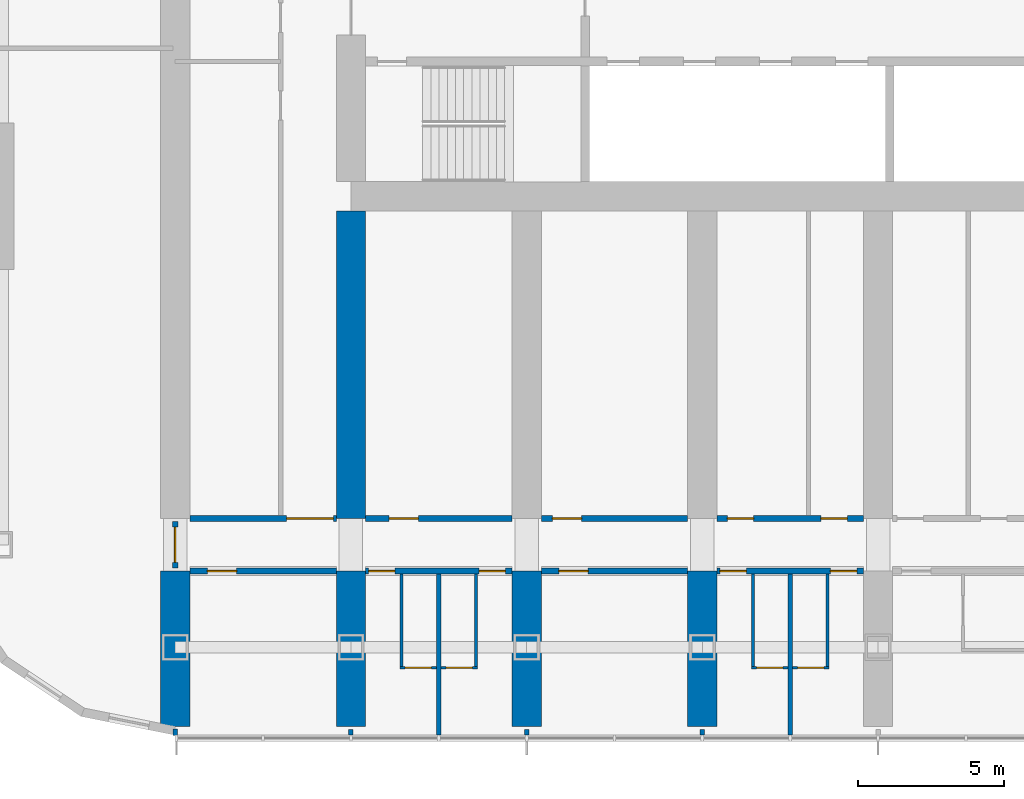
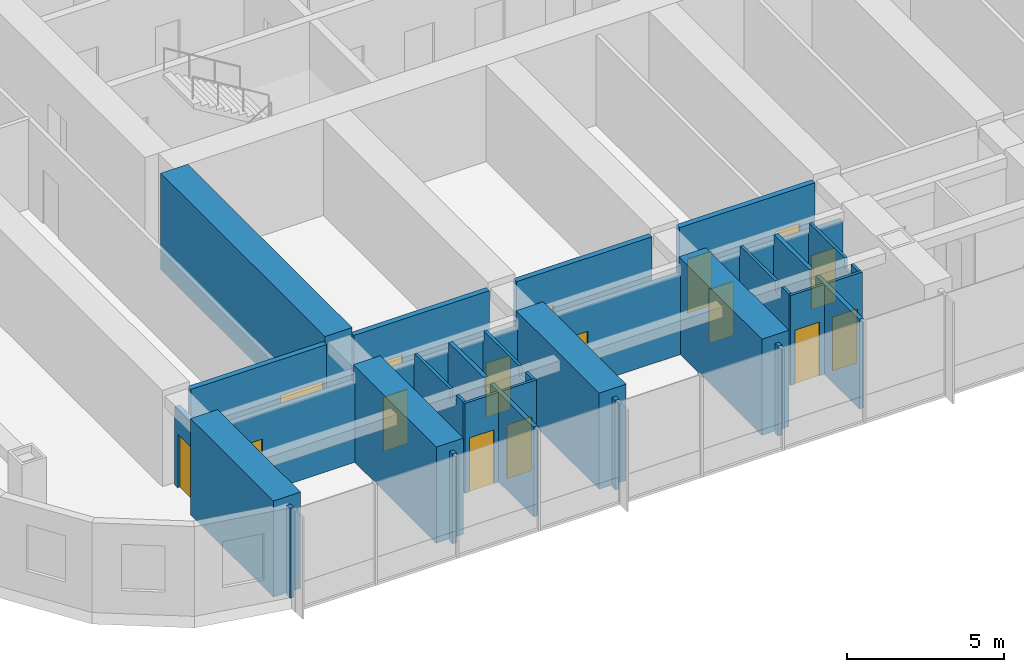
# One storey, part 12 of 26: 28 walls, 16 doors, 16 openings.
"""IFC4 building model written with IfcOpenShell, lengths in metres."""

from ifc_helpers import new_model, si_unit, direction, frame, frame_2d, origin, place, context, subcontext, project, spatial, polyline, rectangle, outline, extrude, material, layer, layer_set, type_object, element, fill, save


model = new_model("IFC4")

# Units and contexts
model_context = context("Model", 3, precision=1e-05, world=origin(), true_north=direction((0.0, 1.0)))
body_context = subcontext(model_context, "Body", "Model", "MODEL_VIEW")
ifc_project = project(units=[si_unit("LENGTHUNIT", "METRE"), si_unit("AREAUNIT", "SQUARE_METRE"), si_unit("VOLUMEUNIT", "CUBIC_METRE"), si_unit("PLANEANGLEUNIT", "RADIAN"), si_unit("MASSUNIT", "GRAM", prefix="KILO")], contexts=[model_context])

# Site, building, storey
site_placement = place(None, origin())
site = spatial("IfcSite", under=ifc_project, at=site_placement, CompositionType="ELEMENT")
building_placement = place(site_placement, origin())
building = spatial("IfcBuilding", under=site, at=building_placement, Name="Orbita Commons", CompositionType="ELEMENT")
storey_placement = place(building_placement, frame((0.0, 0.0, 53.949951171875)))
storey = spatial("IfcBuildingStorey", under=building, at=storey_placement, Name="L13", CompositionType="ELEMENT", Elevation=53.949951171875)

# Wall, opening, door
ifc_material_1 = material(Name="Concrete blockwork", Category="masonry")
ifc_layer_1 = layer(ifc_material_1, 0.199951171875)
ifc_layer_set_1 = layer_set([ifc_layer_1], Name="Concrete blockwork")
wall_type_1 = type_object("IfcWallType", Name="Corridor wall 200 blockwork", PredefinedType="SOLIDWALL", material=ifc_layer_set_1)
wall_1_placement = place(storey_placement, frame((12.5, 13.0, 0.0), z_axis=(0.0, 0.0, 1.0), x_axis=(1.0, 0.0, 0.0)))
wall_1 = element("IfcWall", 1, at=wall_1_placement, inside=storey, type_object=wall_type_1, Name="Corridor wall 200 blockwork L13", PredefinedType="SOLIDWALL", context=body_context, shape_type="SweptSolid", body=[
    extrude(outline(polyline([(0.0, 0.0), (5.0, 0.0), (5.0, 3.10009765625), (0.0, 3.10009765625), (0.0, 0.0)])), frame((0.0, 0.10009765625, 0.0), z_axis=(0.0, -1.0, 0.0), x_axis=(1.0, 0.0, 0.0)), (0.0, 0.0, 1.0), 0.199951171875),
])
opening_1_placement = place(wall_1_placement, frame((0.60009765625, 0.0, 0.0)))
opening_1 = element("IfcOpeningElement", 2, at=opening_1_placement, cuts=wall_1, Name="Opening D06", PredefinedType="OPENING", context=body_context, shape_type="SweptSolid", body=[
    extrude(rectangle(XDim=1.0, YDim=2.10009765625, at=frame_2d((0.5, 1.050048828125))), frame((0.0, 0.10986328125, 0.0), z_axis=(0.0, -1.0, 0.0), x_axis=(1.0, 0.0, 0.0)), (0.0, 0.0, 1.0), 0.219970703125),
])
ifc_material_2 = material(Name="Steel-faced fire door leaf", Category="steel")
door_type_1 = type_object("IfcDoorType", Name="Corridor door 20 min 1000x2100", OperationType="SINGLE_SWING_LEFT", PredefinedType="DOOR", material=ifc_material_2)
door_1_placement = place(opening_1_placement, origin())
door_1 = element("IfcDoor", 3, at=door_1_placement, inside=storey, type_object=door_type_1, Name="House common room L13-S00 door", OperationType="SINGLE_SWING_LEFT", OverallHeight=2.10009765625, OverallWidth=1.0, PredefinedType="DOOR", context=body_context, shape_type="SweptSolid", body=[
    extrude(rectangle(XDim=1.0, YDim=2.10009765625, at=frame_2d((0.5, 1.050048828125))), frame((0.0, 0.02490234375, 0.0), z_axis=(0.0, -1.0, 0.0), x_axis=(1.0, 0.0, 0.0)), (0.0, 0.0, 1.0), 0.050048828125),
])
fill(opening_1, door_1)

# Wall, openings, doors
wall_2_placement = place(storey_placement, frame((18.5, 13.0, 0.0), z_axis=(0.0, 0.0, 1.0), x_axis=(1.0, 0.0, 0.0)))
wall_2 = element("IfcWall", 4, at=wall_2_placement, inside=storey, type_object=wall_type_1, Name="Corridor wall 200 blockwork L13", PredefinedType="SOLIDWALL", context=body_context, shape_type="SweptSolid", body=[
    extrude(outline(polyline([(0.0, 0.0), (5.0, 0.0), (5.0, 3.10009765625), (0.0, 3.10009765625), (0.0, 0.0)])), frame((0.0, 0.10009765625, 0.0), z_axis=(0.0, -1.0, 0.0), x_axis=(1.0, 0.0, 0.0)), (0.0, 0.0, 1.0), 0.199951171875),
])
opening_2_placement = place(wall_2_placement, frame((0.10009765625, 0.0, 0.0)))
opening_2 = element("IfcOpeningElement", 5, at=opening_2_placement, cuts=wall_2, Name="Opening D11", PredefinedType="OPENING", context=body_context, shape_type="SweptSolid", body=[
    extrude(rectangle(XDim=0.89990234375, YDim=2.10009765625, at=frame_2d((0.449951171875, 1.050048828125))), frame((0.0, 0.10986328125, 0.0), z_axis=(0.0, -1.0, 0.0), x_axis=(1.0, 0.0, 0.0)), (0.0, 0.0, 1.0), 0.219970703125),
])
opening_3_placement = place(wall_2_placement, frame((3.875, 0.0, 0.0)))
opening_3 = element("IfcOpeningElement", 6, at=opening_3_placement, cuts=wall_2, Name="Opening D11", PredefinedType="OPENING", context=body_context, shape_type="SweptSolid", body=[
    extrude(rectangle(XDim=0.89990234375, YDim=2.10009765625, at=frame_2d((0.449951171875, 1.050048828125))), frame((0.0, 0.10986328125, 0.0), z_axis=(0.0, -1.0, 0.0), x_axis=(1.0, 0.0, 0.0)), (0.0, 0.0, 1.0), 0.219970703125),
])
ifc_material_3 = material(Name="Steel-faced fire door leaf", Category="steel")
door_type_2 = type_object("IfcDoorType", Name="Corridor door 20 min 900x2100", OperationType="SINGLE_SWING_LEFT", PredefinedType="DOOR", material=ifc_material_3)
door_2_placement = place(opening_2_placement, origin())
door_2 = element("IfcDoor", 7, at=door_2_placement, inside=storey, type_object=door_type_2, Name="House bedroom L13-S02 door", OperationType="SINGLE_SWING_LEFT", OverallHeight=2.10009765625, OverallWidth=0.89990234375, PredefinedType="DOOR", context=body_context, shape_type="SweptSolid", body=[
    extrude(rectangle(XDim=0.89990234375, YDim=2.10009765625, at=frame_2d((0.449951171875, 1.050048828125))), frame((0.0, 0.02490234375, 0.0), z_axis=(0.0, -1.0, 0.0), x_axis=(1.0, 0.0, 0.0)), (0.0, 0.0, 1.0), 0.050048828125),
])
fill(opening_2, door_2)
door_3_placement = place(opening_3_placement, origin())
door_3 = element("IfcDoor", 8, at=door_3_placement, inside=storey, type_object=door_type_2, Name="House bedroom L13-S03 door", OperationType="SINGLE_SWING_LEFT", OverallHeight=2.10009765625, OverallWidth=0.89990234375, PredefinedType="DOOR", context=body_context, shape_type="SweptSolid", body=[
    extrude(rectangle(XDim=0.89990234375, YDim=2.10009765625, at=frame_2d((0.449951171875, 1.050048828125))), frame((0.0, 0.02490234375, 0.0), z_axis=(0.0, -1.0, 0.0), x_axis=(1.0, 0.0, 0.0)), (0.0, 0.0, 1.0), 0.050048828125),
])
fill(opening_3, door_3)

# Wall, opening, door
wall_3_placement = place(storey_placement, frame((24.5, 13.0, 0.0), z_axis=(0.0, 0.0, 1.0), x_axis=(1.0, 0.0, 0.0)))
wall_3 = element("IfcWall", 9, at=wall_3_placement, inside=storey, type_object=wall_type_1, Name="Corridor wall 200 blockwork L13", PredefinedType="SOLIDWALL", context=body_context, shape_type="SweptSolid", body=[
    extrude(outline(polyline([(0.0, 0.0), (5.0, 0.0), (5.0, 3.10009765625), (0.0, 3.10009765625), (0.0, 0.0)])), frame((0.0, 0.10009765625, 0.0), z_axis=(0.0, -1.0, 0.0), x_axis=(1.0, 0.0, 0.0)), (0.0, 0.0, 1.0), 0.199951171875),
])
opening_4_placement = place(wall_3_placement, frame((0.60009765625, 0.0, 0.0)))
opening_4 = element("IfcOpeningElement", 10, at=opening_4_placement, cuts=wall_3, Name="Opening D06", PredefinedType="OPENING", context=body_context, shape_type="SweptSolid", body=[
    extrude(rectangle(XDim=1.0, YDim=2.10009765625, at=frame_2d((0.5, 1.050048828125))), frame((0.0, 0.10986328125, 0.0), z_axis=(0.0, -1.0, 0.0), x_axis=(1.0, 0.0, 0.0)), (0.0, 0.0, 1.0), 0.219970703125),
])
door_4_placement = place(opening_4_placement, origin())
door_4 = element("IfcDoor", 11, at=door_4_placement, inside=storey, type_object=door_type_1, Name="House common room L13-S04 door", OperationType="SINGLE_SWING_LEFT", OverallHeight=2.10009765625, OverallWidth=1.0, PredefinedType="DOOR", context=body_context, shape_type="SweptSolid", body=[
    extrude(rectangle(XDim=1.0, YDim=2.10009765625, at=frame_2d((0.5, 1.050048828125))), frame((0.0, 0.02490234375, 0.0), z_axis=(0.0, -1.0, 0.0), x_axis=(1.0, 0.0, 0.0)), (0.0, 0.0, 1.0), 0.050048828125),
])
fill(opening_4, door_4)

# Wall, openings, doors
wall_4_placement = place(storey_placement, frame((30.5, 13.0, 0.0), z_axis=(0.0, 0.0, 1.0), x_axis=(1.0, 0.0, 0.0)))
wall_4 = element("IfcWall", 12, at=wall_4_placement, inside=storey, type_object=wall_type_1, Name="Corridor wall 200 blockwork L13", PredefinedType="SOLIDWALL", context=body_context, shape_type="SweptSolid", body=[
    extrude(outline(polyline([(0.0, 0.0), (5.0, 0.0), (5.0, 3.10009765625), (0.0, 3.10009765625), (0.0, 0.0)])), frame((0.0, 0.10009765625, 0.0), z_axis=(0.0, -1.0, 0.0), x_axis=(1.0, 0.0, 0.0)), (0.0, 0.0, 1.0), 0.199951171875),
])
opening_5_placement = place(wall_4_placement, frame((0.10009765625, 0.0, 0.0)))
opening_5 = element("IfcOpeningElement", 13, at=opening_5_placement, cuts=wall_4, Name="Opening D11", PredefinedType="OPENING", context=body_context, shape_type="SweptSolid", body=[
    extrude(rectangle(XDim=0.89990234375, YDim=2.10009765625, at=frame_2d((0.449951171875, 1.050048828125))), frame((0.0, 0.10986328125, 0.0), z_axis=(0.0, -1.0, 0.0), x_axis=(1.0, 0.0, 0.0)), (0.0, 0.0, 1.0), 0.219970703125),
])
opening_6_placement = place(wall_4_placement, frame((3.875, 0.0, 0.0)))
opening_6 = element("IfcOpeningElement", 14, at=opening_6_placement, cuts=wall_4, Name="Opening D11", PredefinedType="OPENING", context=body_context, shape_type="SweptSolid", body=[
    extrude(rectangle(XDim=0.89990234375, YDim=2.10009765625, at=frame_2d((0.449951171875, 1.050048828125))), frame((0.0, 0.10986328125, 0.0), z_axis=(0.0, -1.0, 0.0), x_axis=(1.0, 0.0, 0.0)), (0.0, 0.0, 1.0), 0.219970703125),
])
door_5_placement = place(opening_5_placement, origin())
door_5 = element("IfcDoor", 15, at=door_5_placement, inside=storey, type_object=door_type_2, Name="House bedroom L13-S06 door", OperationType="SINGLE_SWING_LEFT", OverallHeight=2.10009765625, OverallWidth=0.89990234375, PredefinedType="DOOR", context=body_context, shape_type="SweptSolid", body=[
    extrude(rectangle(XDim=0.89990234375, YDim=2.10009765625, at=frame_2d((0.449951171875, 1.050048828125))), frame((0.0, 0.02490234375, 0.0), z_axis=(0.0, -1.0, 0.0), x_axis=(1.0, 0.0, 0.0)), (0.0, 0.0, 1.0), 0.050048828125),
])
fill(opening_5, door_5)
door_6_placement = place(opening_6_placement, origin())
door_6 = element("IfcDoor", 16, at=door_6_placement, inside=storey, type_object=door_type_2, Name="House bedroom L13-S07 door", OperationType="SINGLE_SWING_LEFT", OverallHeight=2.10009765625, OverallWidth=0.89990234375, PredefinedType="DOOR", context=body_context, shape_type="SweptSolid", body=[
    extrude(rectangle(XDim=0.89990234375, YDim=2.10009765625, at=frame_2d((0.449951171875, 1.050048828125))), frame((0.0, 0.02490234375, 0.0), z_axis=(0.0, -1.0, 0.0), x_axis=(1.0, 0.0, 0.0)), (0.0, 0.0, 1.0), 0.050048828125),
])
fill(opening_6, door_6)

# Wall, opening, door
wall_5_placement = place(storey_placement, frame((12.0, 13.10009765625, 0.0), z_axis=(0.0, 0.0, 1.0), x_axis=(0.0, 1.0, 0.0)))
wall_5 = element("IfcWall", 17, at=wall_5_placement, inside=storey, type_object=wall_type_1, Name="Corridor wall 200 blockwork L13", PredefinedType="SOLIDWALL", context=body_context, shape_type="SweptSolid", body=[
    extrude(outline(polyline([(0.0, 0.0), (1.599853515625, 0.0), (1.60009765625, 3.050048828125), (0.0, 3.050048828125), (0.0, 0.0)])), frame((0.0, 0.10009765625, 0.0), z_axis=(0.0, -1.0, 0.0), x_axis=(1.0, 0.0, 0.0)), (0.0, 0.0, 1.0), 0.199951171875),
])
opening_7_placement = place(wall_5_placement, frame((0.199951171875, 0.0, 0.0)))
opening_7 = element("IfcOpeningElement", 18, at=opening_7_placement, cuts=wall_5, Name="Opening D12", PredefinedType="OPENING", context=body_context, shape_type="SweptSolid", body=[
    extrude(rectangle(XDim=1.199951171875, YDim=2.10009765625, at=frame_2d((0.60009765625, 1.050048828125))), frame((0.0, 0.10986328125, 0.0), z_axis=(0.0, -1.0, 0.0), x_axis=(1.0, 0.0, 0.0)), (0.0, 0.0, 1.0), 0.219970703125),
])
ifc_material_4 = material(Name="Steel-faced fire door leaf", Category="steel")
door_type_3 = type_object("IfcDoorType", Name="Double corridor door 20 min 1200x2100", OperationType="DOUBLE_DOOR_SINGLE_SWING", PredefinedType="DOOR", material=ifc_material_4)
door_7_placement = place(opening_7_placement, origin())
door_7 = element("IfcDoor", 19, at=door_7_placement, inside=storey, type_object=door_type_3, Name="Lounge doors", OperationType="DOUBLE_DOOR_SINGLE_SWING", OverallHeight=2.10009765625, OverallWidth=1.199951171875, PredefinedType="DOOR", context=body_context, shape_type="SweptSolid", body=[
    extrude(rectangle(XDim=1.199951171875, YDim=2.10009765625, at=frame_2d((0.60009765625, 1.050048828125))), frame((0.0, 0.02490234375, 0.0), z_axis=(0.0, -1.0, 0.0), x_axis=(1.0, 0.0, 0.0)), (0.0, 0.0, 1.0), 0.050048828125),
])
fill(opening_7, door_7)

ifc_material_5 = material(Name="Hollow concrete block 200", Category="concrete")
ifc_layer_2 = layer(ifc_material_5, 0.199951171875)
ifc_layer_set_2 = layer_set([ifc_layer_2], Name="Hollow concrete block 200")
wall_type_2 = type_object("IfcWallType", Name="Corridor wall 200 hollow concrete block", PredefinedType="SOLIDWALL", material=ifc_layer_set_2)
wall_6_placement = place(storey_placement, frame((12.5, 14.800048828125, 0.0), z_axis=(0.0, 0.0, 1.0), x_axis=(1.0, 0.0, 0.0)))
wall_6 = element("IfcWall", 20, at=wall_6_placement, inside=storey, type_object=wall_type_2, Name="Corridor wall 200 hollow concrete block L13", PredefinedType="SOLIDWALL", context=body_context, shape_type="SweptSolid", body=[
    extrude(rectangle(XDim=5.0, YDim=0.199951171875, at=frame_2d((2.5, 0.0))), origin(), (0.0, 0.0, 1.0), 3.5),
])
opening_8_placement = place(wall_6_placement, frame((3.300048828125, 0.0, 0.0)))
opening_8 = element("IfcOpeningElement", 21, at=opening_8_placement, cuts=wall_6, Name="Opening D10", PredefinedType="OPENING", context=body_context, shape_type="SweptSolid", body=[
    extrude(rectangle(XDim=1.60009765625, YDim=2.10009765625, at=frame_2d((0.800048828125, 1.050048828125))), frame((0.0, 0.10986328125, 0.0), z_axis=(0.0, -1.0, 0.0), x_axis=(1.0, 0.0, 0.0)), (0.0, 0.0, 1.0), 0.219970703125),
])
ifc_material_6 = material(Name="Steel-faced fire door leaf", Category="steel")
door_type_4 = type_object("IfcDoorType", Name="Double corridor door 20 min 1600x2100", OperationType="DOUBLE_DOOR_SINGLE_SWING", PredefinedType="DOOR", material=ifc_material_6)
door_8_placement = place(opening_8_placement, origin())
door_8 = element("IfcDoor", 22, at=door_8_placement, inside=storey, type_object=door_type_4, Name="Cross corridor doors", OperationType="DOUBLE_DOOR_SINGLE_SWING", OverallHeight=2.10009765625, OverallWidth=1.60009765625, PredefinedType="DOOR", context=body_context, shape_type="SweptSolid", body=[
    extrude(rectangle(XDim=1.60009765625, YDim=2.10009765625, at=frame_2d((0.800048828125, 1.050048828125))), frame((0.0, 0.02490234375, 0.0), z_axis=(0.0, -1.0, 0.0), x_axis=(1.0, 0.0, 0.0)), (0.0, 0.0, 1.0), 0.050048828125),
])
fill(opening_8, door_8)

wall_7_placement = place(storey_placement, frame((18.5, 14.800048828125, 0.0), z_axis=(0.0, 0.0, 1.0), x_axis=(1.0, 0.0, 0.0)))
wall_7 = element("IfcWall", 23, at=wall_7_placement, inside=storey, type_object=wall_type_2, Name="Corridor wall 200 hollow concrete block L13", PredefinedType="SOLIDWALL", context=body_context, shape_type="SweptSolid", body=[
    extrude(rectangle(XDim=5.0, YDim=0.199951171875, at=frame_2d((2.5, 0.0))), origin(), (0.0, 0.0, 1.0), 3.5),
])
opening_9_placement = place(wall_7_placement, frame((0.800048828125, 0.0, 0.0)))
opening_9 = element("IfcOpeningElement", 24, at=opening_9_placement, cuts=wall_7, Name="Opening D06", PredefinedType="OPENING", context=body_context, shape_type="SweptSolid", body=[
    extrude(rectangle(XDim=1.0, YDim=2.10009765625, at=frame_2d((0.5, 1.050048828125))), frame((0.0, 0.10986328125, 0.0), z_axis=(0.0, -1.0, 0.0), x_axis=(1.0, 0.0, 0.0)), (0.0, 0.0, 1.0), 0.219970703125),
])
door_9_placement = place(opening_9_placement, origin())
door_9 = element("IfcDoor", 25, at=door_9_placement, inside=storey, type_object=door_type_1, Name="Drying room L13-BDS18 door", OperationType="SINGLE_SWING_LEFT", OverallHeight=2.10009765625, OverallWidth=1.0, PredefinedType="DOOR", context=body_context, shape_type="SweptSolid", body=[
    extrude(rectangle(XDim=1.0, YDim=2.10009765625, at=frame_2d((0.5, 1.050048828125))), frame((0.0, 0.02490234375, 0.0), z_axis=(0.0, -1.0, 0.0), x_axis=(1.0, 0.0, 0.0)), (0.0, 0.0, 1.0), 0.050048828125),
])
fill(opening_9, door_9)

wall_8_placement = place(storey_placement, frame((24.5, 14.800048828125, 0.0), z_axis=(0.0, 0.0, 1.0), x_axis=(1.0, 0.0, 0.0)))
wall_8 = element("IfcWall", 26, at=wall_8_placement, inside=storey, type_object=wall_type_2, Name="Corridor wall 200 hollow concrete block L13", PredefinedType="SOLIDWALL", context=body_context, shape_type="SweptSolid", body=[
    extrude(rectangle(XDim=5.0, YDim=0.199951171875, at=frame_2d((2.5, 0.0))), origin(), (0.0, 0.0, 1.0), 3.5),
])
opening_10_placement = place(wall_8_placement, frame((0.375, 0.0, 0.0)))
opening_10 = element("IfcOpeningElement", 27, at=opening_10_placement, cuts=wall_8, Name="Opening D06", PredefinedType="OPENING", context=body_context, shape_type="SweptSolid", body=[
    extrude(rectangle(XDim=1.0, YDim=2.10009765625, at=frame_2d((0.5, 1.050048828125))), frame((0.0, 0.10986328125, 0.0), z_axis=(0.0, -1.0, 0.0), x_axis=(1.0, 0.0, 0.0)), (0.0, 0.0, 1.0), 0.219970703125),
])
door_10_placement = place(opening_10_placement, origin())
door_10 = element("IfcDoor", 28, at=door_10_placement, inside=storey, type_object=door_type_1, Name="Linen store L13-BDS24 door", OperationType="SINGLE_SWING_LEFT", OverallHeight=2.10009765625, OverallWidth=1.0, PredefinedType="DOOR", context=body_context, shape_type="SweptSolid", body=[
    extrude(rectangle(XDim=1.0, YDim=2.10009765625, at=frame_2d((0.5, 1.050048828125))), frame((0.0, 0.02490234375, 0.0), z_axis=(0.0, -1.0, 0.0), x_axis=(1.0, 0.0, 0.0)), (0.0, 0.0, 1.0), 0.050048828125),
])
fill(opening_10, door_10)

# Wall, openings, doors
wall_9_placement = place(storey_placement, frame((30.5, 14.800048828125, 0.0), z_axis=(0.0, 0.0, 1.0), x_axis=(1.0, 0.0, 0.0)))
wall_9 = element("IfcWall", 29, at=wall_9_placement, inside=storey, type_object=wall_type_2, Name="Corridor wall 200 hollow concrete block L13", PredefinedType="SOLIDWALL", context=body_context, shape_type="SweptSolid", body=[
    extrude(rectangle(XDim=5.0, YDim=0.199951171875, at=frame_2d((2.5, 0.0))), origin(), (0.0, 0.0, 1.0), 3.5),
])
opening_11_placement = place(wall_9_placement, frame((0.35009765625, 0.0, 0.0)))
opening_11 = element("IfcOpeningElement", 30, at=opening_11_placement, cuts=wall_9, Name="Opening D11", PredefinedType="OPENING", context=body_context, shape_type="SweptSolid", body=[
    extrude(rectangle(XDim=0.89990234375, YDim=2.10009765625, at=frame_2d((0.449951171875, 1.050048828125))), frame((0.0, 0.10986328125, 0.0), z_axis=(0.0, -1.0, 0.0), x_axis=(1.0, 0.0, 0.0)), (0.0, 0.0, 1.0), 0.219970703125),
])
opening_12_placement = place(wall_9_placement, frame((3.550048828125, 0.0, 0.0)))
opening_12 = element("IfcOpeningElement", 31, at=opening_12_placement, cuts=wall_9, Name="Opening D11", PredefinedType="OPENING", context=body_context, shape_type="SweptSolid", body=[
    extrude(rectangle(XDim=0.89990234375, YDim=2.10009765625, at=frame_2d((0.449951171875, 1.050048828125))), frame((0.0, 0.10986328125, 0.0), z_axis=(0.0, -1.0, 0.0), x_axis=(1.0, 0.0, 0.0)), (0.0, 0.0, 1.0), 0.219970703125),
])
door_11_placement = place(opening_11_placement, origin())
door_11 = element("IfcDoor", 32, at=door_11_placement, inside=storey, type_object=door_type_2, Name="Recording room L13-BDS30 door", OperationType="SINGLE_SWING_LEFT", OverallHeight=2.10009765625, OverallWidth=0.89990234375, PredefinedType="DOOR", context=body_context, shape_type="SweptSolid", body=[
    extrude(rectangle(XDim=0.89990234375, YDim=2.10009765625, at=frame_2d((0.449951171875, 1.050048828125))), frame((0.0, 0.02490234375, 0.0), z_axis=(0.0, -1.0, 0.0), x_axis=(1.0, 0.0, 0.0)), (0.0, 0.0, 1.0), 0.050048828125),
])
fill(opening_11, door_11)
door_12_placement = place(opening_12_placement, origin())
door_12 = element("IfcDoor", 33, at=door_12_placement, inside=storey, type_object=door_type_2, Name="Accessible WC and shower room L13-BDS30n door", OperationType="SINGLE_SWING_LEFT", OverallHeight=2.10009765625, OverallWidth=0.89990234375, PredefinedType="DOOR", context=body_context, shape_type="SweptSolid", body=[
    extrude(rectangle(XDim=0.89990234375, YDim=2.10009765625, at=frame_2d((0.449951171875, 1.050048828125))), frame((0.0, 0.02490234375, 0.0), z_axis=(0.0, -1.0, 0.0), x_axis=(1.0, 0.0, 0.0)), (0.0, 0.0, 1.0), 0.050048828125),
])
fill(opening_12, door_12)

# Walls
ifc_material_7 = material(Name="Concrete C50/60", Category="concrete")
ifc_layer_3 = layer(ifc_material_7, 1.0)
ifc_layer_set_3 = layer_set([ifc_layer_3], Name="Concrete C50/60")
wall_type_3 = type_object("IfcWallType", Name="Cross wall 1000 C50/60", PredefinedType="SHEAR", material=ifc_layer_set_3)
for number, where, z_axis, x_axis, name in (
    (34, (12.0, 7.699951171875, 0.0), (0.0, 0.0, 1.0), (0.0, 1.0, 0.0), "Cross wall 3 south outer L13"),
    (35, (18.0, 7.699951171875, 0.0), (0.0, 0.0, 1.0), (0.0, 1.0, 0.0), "Cross wall 4 south outer L13"),
):
    element("IfcWall", number, at=place(storey_placement, frame(where, z_axis=z_axis, x_axis=x_axis)), inside=storey, type_object=wall_type_3, Name=name, PredefinedType="SHEAR", context=body_context, shape_type="SweptSolid", body=[
        extrude(rectangle(XDim=5.300048828125, YDim=1.0, at=frame_2d((2.64990234375, 0.0))), origin(), (0.0, 0.0, 1.0), 3.75),
    ])
wall_10_placement = place(storey_placement, frame((18.0, 14.800048828125, 0.0), z_axis=(0.0, 0.0, 1.0), x_axis=(0.0, 1.0, 0.0)))
element("IfcWall", 36, at=wall_10_placement, inside=storey, type_object=wall_type_3, Name="Cross wall 4 south inner L13", PredefinedType="SHEAR", context=body_context, shape_type="SweptSolid", body=[
    extrude(rectangle(XDim=10.5, YDim=1.0, at=frame_2d((5.25, 0.0))), origin(), (0.0, 0.0, 1.0), 3.75),
])
for number, where, z_axis, x_axis, name in (
    (37, (24.0, 7.699951171875, 0.0), (0.0, 0.0, 1.0), (0.0, 1.0, 0.0), "Cross wall 5 south outer L13"),
    (38, (30.0, 7.699951171875, 0.0), (0.0, 0.0, 1.0), (0.0, 1.0, 0.0), "Cross wall 6 south outer L13"),
):
    element("IfcWall", number, at=place(storey_placement, frame(where, z_axis=z_axis, x_axis=x_axis)), inside=storey, type_object=wall_type_3, Name=name, PredefinedType="SHEAR", context=body_context, shape_type="SweptSolid", body=[
        extrude(rectangle(XDim=5.300048828125, YDim=1.0, at=frame_2d((2.64990234375, 0.0))), origin(), (0.0, 0.0, 1.0), 3.75),
    ])

# Wall, opening, door
ifc_material_8 = material(Name="Moisture-resistant plasterboard on steel studs", Category="steel")
ifc_layer_4 = layer(ifc_material_8, 0.10009765625)
ifc_layer_set_4 = layer_set([ifc_layer_4], Name="Moisture-resistant plasterboard on steel studs")
wall_type_4 = type_object("IfcWallType", Name="En-suite partition 100", PredefinedType="PARTITIONING", material=ifc_layer_set_4)
wall_11_placement = place(storey_placement, frame((20.925048828125, 9.699951171875, 0.0), z_axis=(0.0, 0.0, 1.0), x_axis=(-1.0, 0.0, 0.0)))
wall_11 = element("IfcWall", 39, at=wall_11_placement, inside=storey, type_object=wall_type_4, Name="En-suite partition 100 L13", PredefinedType="PARTITIONING", context=body_context, shape_type="SweptSolid", body=[
    extrude(rectangle(XDim=1.25, YDim=0.10009765625, at=frame_2d((0.625, 0.0))), origin(), (0.0, 0.0, 1.0), 3.5),
])
opening_13_placement = place(wall_11_placement, frame((0.175048828125, 0.0, 0.0)))
opening_13 = element("IfcOpeningElement", 40, at=opening_13_placement, cuts=wall_11, Name="Opening D09", PredefinedType="OPENING", context=body_context, shape_type="SweptSolid", body=[
    extrude(rectangle(XDim=0.89990234375, YDim=2.10009765625, at=frame_2d((0.449951171875, 1.050048828125))), frame((0.0, 0.06005859375, 0.0), z_axis=(0.0, -1.0, 0.0), x_axis=(1.0, 0.0, 0.0)), (0.0, 0.0, 1.0), 0.1201171875),
])
ifc_material_9 = material(Name="Laminated timber door leaf", Category="wood")
door_type_5 = type_object("IfcDoorType", Name="En-suite door 900x2100", OperationType="SINGLE_SWING_RIGHT", PredefinedType="DOOR", material=ifc_material_9)
door_13_placement = place(opening_13_placement, origin())
door_13 = element("IfcDoor", 41, at=door_13_placement, inside=storey, type_object=door_type_5, Name="En-suite L13-S02 door", OperationType="SINGLE_SWING_RIGHT", OverallHeight=2.10009765625, OverallWidth=0.89990234375, PredefinedType="DOOR", context=body_context, shape_type="SweptSolid", body=[
    extrude(rectangle(XDim=0.89990234375, YDim=2.10009765625, at=frame_2d((0.449951171875, 1.050048828125))), frame((0.0, 0.02490234375, 0.0), z_axis=(0.0, -1.0, 0.0), x_axis=(1.0, 0.0, 0.0)), (0.0, 0.0, 1.0), 0.050048828125),
])
fill(opening_13, door_13)

# Wall
wall_12_placement = place(storey_placement, frame((19.72509765625, 9.75, 0.0), z_axis=(0.0, 0.0, 1.0), x_axis=(0.0, 1.0, 0.0)))
element("IfcWall", 42, at=wall_12_placement, inside=storey, type_object=wall_type_4, Name="En-suite partition 100 L13", PredefinedType="PARTITIONING", context=body_context, shape_type="SweptSolid", body=[
    extrude(outline(polyline([(0.0, 0.0), (3.14990234375, 0.0), (3.14990234375, 3.10009765625), (3.10205078125, 3.10009765625), (3.10009765625, 3.5), (0.85205078125, 3.5), (0.85009765625, 3.10009765625), (0.451904296875, 3.10009765625), (0.449951171875, 3.5), (0.0, 3.5), (0.0, 0.0)])), frame((0.0, 0.050048828125, 0.0), z_axis=(0.0, -1.0, 0.0), x_axis=(1.0, 0.0, 0.0)), (0.0, 0.0, 1.0), 0.10009765625),
])

# Wall, opening, door
wall_13_placement = place(storey_placement, frame((22.324951171875, 9.699951171875, 0.0), z_axis=(0.0, 0.0, 1.0), x_axis=(-1.0, 0.0, 0.0)))
wall_13 = element("IfcWall", 43, at=wall_13_placement, inside=storey, type_object=wall_type_4, Name="En-suite partition 100 L13", PredefinedType="PARTITIONING", context=body_context, shape_type="SweptSolid", body=[
    extrude(rectangle(XDim=1.25, YDim=0.10009765625, at=frame_2d((0.625, 0.0))), origin(), (0.0, 0.0, 1.0), 3.5),
])
opening_14_placement = place(wall_13_placement, frame((0.175048828125, 0.0, 0.0)))
opening_14 = element("IfcOpeningElement", 44, at=opening_14_placement, cuts=wall_13, Name="Opening D09", PredefinedType="OPENING", context=body_context, shape_type="SweptSolid", body=[
    extrude(rectangle(XDim=0.89990234375, YDim=2.10009765625, at=frame_2d((0.449951171875, 1.050048828125))), frame((0.0, 0.06005859375, 0.0), z_axis=(0.0, -1.0, 0.0), x_axis=(1.0, 0.0, 0.0)), (0.0, 0.0, 1.0), 0.1201171875),
])
door_14_placement = place(opening_14_placement, origin())
door_14 = element("IfcDoor", 45, at=door_14_placement, inside=storey, type_object=door_type_5, Name="En-suite L13-S03 door", OperationType="SINGLE_SWING_RIGHT", OverallHeight=2.10009765625, OverallWidth=0.89990234375, PredefinedType="DOOR", context=body_context, shape_type="SweptSolid", body=[
    extrude(rectangle(XDim=0.89990234375, YDim=2.10009765625, at=frame_2d((0.449951171875, 1.050048828125))), frame((0.0, 0.02490234375, 0.0), z_axis=(0.0, -1.0, 0.0), x_axis=(1.0, 0.0, 0.0)), (0.0, 0.0, 1.0), 0.050048828125),
])
fill(opening_14, door_14)

# Wall
wall_14_placement = place(storey_placement, frame((22.27490234375, 9.75, 0.0), z_axis=(0.0, 0.0, 1.0), x_axis=(0.0, 1.0, 0.0)))
element("IfcWall", 46, at=wall_14_placement, inside=storey, type_object=wall_type_4, Name="En-suite partition 100 L13", PredefinedType="PARTITIONING", context=body_context, shape_type="SweptSolid", body=[
    extrude(outline(polyline([(0.0, 0.0), (3.14990234375, 0.0), (3.14990234375, 3.10009765625), (3.10205078125, 3.10009765625), (3.10009765625, 3.5), (0.85205078125, 3.5), (0.85009765625, 3.10009765625), (0.451904296875, 3.10009765625), (0.449951171875, 3.5), (0.0, 3.5), (0.0, 0.0)])), frame((0.0, 0.050048828125, 0.0), z_axis=(0.0, -1.0, 0.0), x_axis=(1.0, 0.0, 0.0)), (0.0, 0.0, 1.0), 0.10009765625),
])

# Wall, opening, door
wall_15_placement = place(storey_placement, frame((32.925048828125, 9.699951171875, 0.0), z_axis=(0.0, 0.0, 1.0), x_axis=(-1.0, 0.0, 0.0)))
wall_15 = element("IfcWall", 47, at=wall_15_placement, inside=storey, type_object=wall_type_4, Name="En-suite partition 100 L13", PredefinedType="PARTITIONING", context=body_context, shape_type="SweptSolid", body=[
    extrude(rectangle(XDim=1.25, YDim=0.10009765625, at=frame_2d((0.625, 0.0))), origin(), (0.0, 0.0, 1.0), 3.5),
])
opening_15_placement = place(wall_15_placement, frame((0.175048828125, 0.0, 0.0)))
opening_15 = element("IfcOpeningElement", 48, at=opening_15_placement, cuts=wall_15, Name="Opening D09", PredefinedType="OPENING", context=body_context, shape_type="SweptSolid", body=[
    extrude(rectangle(XDim=0.89990234375, YDim=2.10009765625, at=frame_2d((0.449951171875, 1.050048828125))), frame((0.0, 0.06005859375, 0.0), z_axis=(0.0, -1.0, 0.0), x_axis=(1.0, 0.0, 0.0)), (0.0, 0.0, 1.0), 0.1201171875),
])
door_15_placement = place(opening_15_placement, origin())
door_15 = element("IfcDoor", 49, at=door_15_placement, inside=storey, type_object=door_type_5, Name="En-suite L13-S06 door", OperationType="SINGLE_SWING_RIGHT", OverallHeight=2.10009765625, OverallWidth=0.89990234375, PredefinedType="DOOR", context=body_context, shape_type="SweptSolid", body=[
    extrude(rectangle(XDim=0.89990234375, YDim=2.10009765625, at=frame_2d((0.449951171875, 1.050048828125))), frame((0.0, 0.02490234375, 0.0), z_axis=(0.0, -1.0, 0.0), x_axis=(1.0, 0.0, 0.0)), (0.0, 0.0, 1.0), 0.050048828125),
])
fill(opening_15, door_15)

# Wall
wall_16_placement = place(storey_placement, frame((31.72509765625, 9.75, 0.0), z_axis=(0.0, 0.0, 1.0), x_axis=(0.0, 1.0, 0.0)))
element("IfcWall", 50, at=wall_16_placement, inside=storey, type_object=wall_type_4, Name="En-suite partition 100 L13", PredefinedType="PARTITIONING", context=body_context, shape_type="SweptSolid", body=[
    extrude(outline(polyline([(0.0, 0.0), (3.14990234375, 0.0), (3.14990234375, 3.10009765625), (3.10205078125, 3.10009765625), (3.10009765625, 3.5), (0.85205078125, 3.5), (0.85009765625, 3.10009765625), (0.451904296875, 3.10009765625), (0.449951171875, 3.5), (0.0, 3.5), (0.0, 0.0)])), frame((0.0, 0.050048828125, 0.0), z_axis=(0.0, -1.0, 0.0), x_axis=(1.0, 0.0, 0.0)), (0.0, 0.0, 1.0), 0.10009765625),
])

# Wall, opening, door
wall_17_placement = place(storey_placement, frame((34.324951171875, 9.699951171875, 0.0), z_axis=(0.0, 0.0, 1.0), x_axis=(-1.0, 0.0, 0.0)))
wall_17 = element("IfcWall", 51, at=wall_17_placement, inside=storey, type_object=wall_type_4, Name="En-suite partition 100 L13", PredefinedType="PARTITIONING", context=body_context, shape_type="SweptSolid", body=[
    extrude(rectangle(XDim=1.25, YDim=0.10009765625, at=frame_2d((0.625, 0.0))), origin(), (0.0, 0.0, 1.0), 3.5),
])
opening_16_placement = place(wall_17_placement, frame((0.175048828125, 0.0, 0.0)))
opening_16 = element("IfcOpeningElement", 52, at=opening_16_placement, cuts=wall_17, Name="Opening D09", PredefinedType="OPENING", context=body_context, shape_type="SweptSolid", body=[
    extrude(rectangle(XDim=0.89990234375, YDim=2.10009765625, at=frame_2d((0.449951171875, 1.050048828125))), frame((0.0, 0.06005859375, 0.0), z_axis=(0.0, -1.0, 0.0), x_axis=(1.0, 0.0, 0.0)), (0.0, 0.0, 1.0), 0.1201171875),
])
door_16_placement = place(opening_16_placement, origin())
door_16 = element("IfcDoor", 53, at=door_16_placement, inside=storey, type_object=door_type_5, Name="En-suite L13-S07 door", OperationType="SINGLE_SWING_RIGHT", OverallHeight=2.10009765625, OverallWidth=0.89990234375, PredefinedType="DOOR", context=body_context, shape_type="SweptSolid", body=[
    extrude(rectangle(XDim=0.89990234375, YDim=2.10009765625, at=frame_2d((0.449951171875, 1.050048828125))), frame((0.0, 0.02490234375, 0.0), z_axis=(0.0, -1.0, 0.0), x_axis=(1.0, 0.0, 0.0)), (0.0, 0.0, 1.0), 0.050048828125),
])
fill(opening_16, door_16)

# Walls
wall_18_placement = place(storey_placement, frame((34.27490234375, 9.75, 0.0), z_axis=(0.0, 0.0, 1.0), x_axis=(0.0, 1.0, 0.0)))
element("IfcWall", 54, at=wall_18_placement, inside=storey, type_object=wall_type_4, Name="En-suite partition 100 L13", PredefinedType="PARTITIONING", context=body_context, shape_type="SweptSolid", body=[
    extrude(outline(polyline([(0.0, 0.0), (3.14990234375, 0.0), (3.14990234375, 3.10009765625), (3.10205078125, 3.10009765625), (3.10009765625, 3.5), (0.85205078125, 3.5), (0.85009765625, 3.10009765625), (0.451904296875, 3.10009765625), (0.449951171875, 3.5), (0.0, 3.5), (0.0, 0.0)])), frame((0.0, 0.050048828125, 0.0), z_axis=(0.0, -1.0, 0.0), x_axis=(1.0, 0.0, 0.0)), (0.0, 0.0, 1.0), 0.10009765625),
])
ifc_material_10 = material(Name="Gypsum plasterboard on steel studs", Category="steel")
ifc_layer_5 = layer(ifc_material_10, 0.14990234375)
ifc_layer_set_5 = layer_set([ifc_layer_5], Name="Gypsum plasterboard on steel studs")
wall_type_5 = type_object("IfcWallType", Name="Partition 150 plasterboard", PredefinedType="PARTITIONING", material=ifc_layer_set_5)
wall_19_placement = place(storey_placement, frame((12.0, 7.60009765625, 0.0), z_axis=(0.0, 0.0, 1.0), x_axis=(0.0, -1.0, 0.0)))
element("IfcWall", 55, at=wall_19_placement, inside=storey, type_object=wall_type_5, Name="Partition 150 plasterboard L13", PredefinedType="PARTITIONING", context=body_context, shape_type="SweptSolid", body=[
    extrude(rectangle(XDim=0.22021484375, YDim=0.14990234375, at=frame_2d((0.110107421875, 0.0))), origin(), (0.0, 0.0, 1.0), 3.5),
])
for number, where, z_axis, x_axis, name in (
    (56, (18.0, 7.60009765625, 0.0), (0.0, 0.0, 1.0), (0.0, -1.0, 0.0), "Partition 150 plasterboard L13"),
    (57, (24.0, 7.60009765625, 0.0), (0.0, 0.0, 1.0), (0.0, -1.0, 0.0), "Partition 150 plasterboard L13"),
    (58, (30.0, 7.60009765625, 0.0), (0.0, 0.0, 1.0), (0.0, -1.0, 0.0), "Partition 150 plasterboard L13"),
):
    element("IfcWall", number, at=place(storey_placement, frame(where, z_axis=z_axis, x_axis=x_axis)), inside=storey, type_object=wall_type_5, Name=name, PredefinedType="PARTITIONING", context=body_context, shape_type="SweptSolid", body=[
        extrude(rectangle(XDim=0.190185546875, YDim=0.14990234375, at=frame_2d((0.09521484375, 0.0))), origin(), (0.0, 0.0, 1.0), 3.5),
    ])
ifc_material_11 = material(Name="Gypsum plasterboard on steel studs", Category="steel")
ifc_layer_6 = layer(ifc_material_11, 0.14990234375)
ifc_layer_set_6 = layer_set([ifc_layer_6], Name="Gypsum plasterboard on steel studs")
wall_type_6 = type_object("IfcWallType", Name="Party wall 150 plasterboard", PredefinedType="PARTITIONING", material=ifc_layer_set_6)
for number, where, z_axis, x_axis, name in (
    (59, (21.0, 7.409912109375, 0.0), (0.0, 0.0, 1.0), (0.0, 1.0, 0.0), "Party wall 150 plasterboard L13"),
    (60, (33.0, 7.409912109375, 0.0), (0.0, 0.0, 1.0), (0.0, 1.0, 0.0), "Party wall 150 plasterboard L13"),
):
    element("IfcWall", number, at=place(storey_placement, frame(where, z_axis=z_axis, x_axis=x_axis)), inside=storey, type_object=wall_type_6, Name=name, PredefinedType="PARTITIONING", context=body_context, shape_type="SweptSolid", body=[
        extrude(outline(polyline([(0.0, 0.0), (5.489990234375, 0.0), (5.489990234375, 3.10009765625), (5.44189453125, 3.10009765625), (5.43994140625, 3.5), (3.19189453125, 3.5), (3.18994140625, 3.10009765625), (2.7919921875, 3.10009765625), (2.7900390625, 3.5), (0.0, 3.5), (0.0, 0.0)])), frame((0.0, 0.074951171875, 0.0), z_axis=(0.0, -1.0, 0.0), x_axis=(1.0, 0.0, 0.0)), (0.0, 0.0, 1.0), 0.14990234375),
    ])

save(model, "model.ifc")
